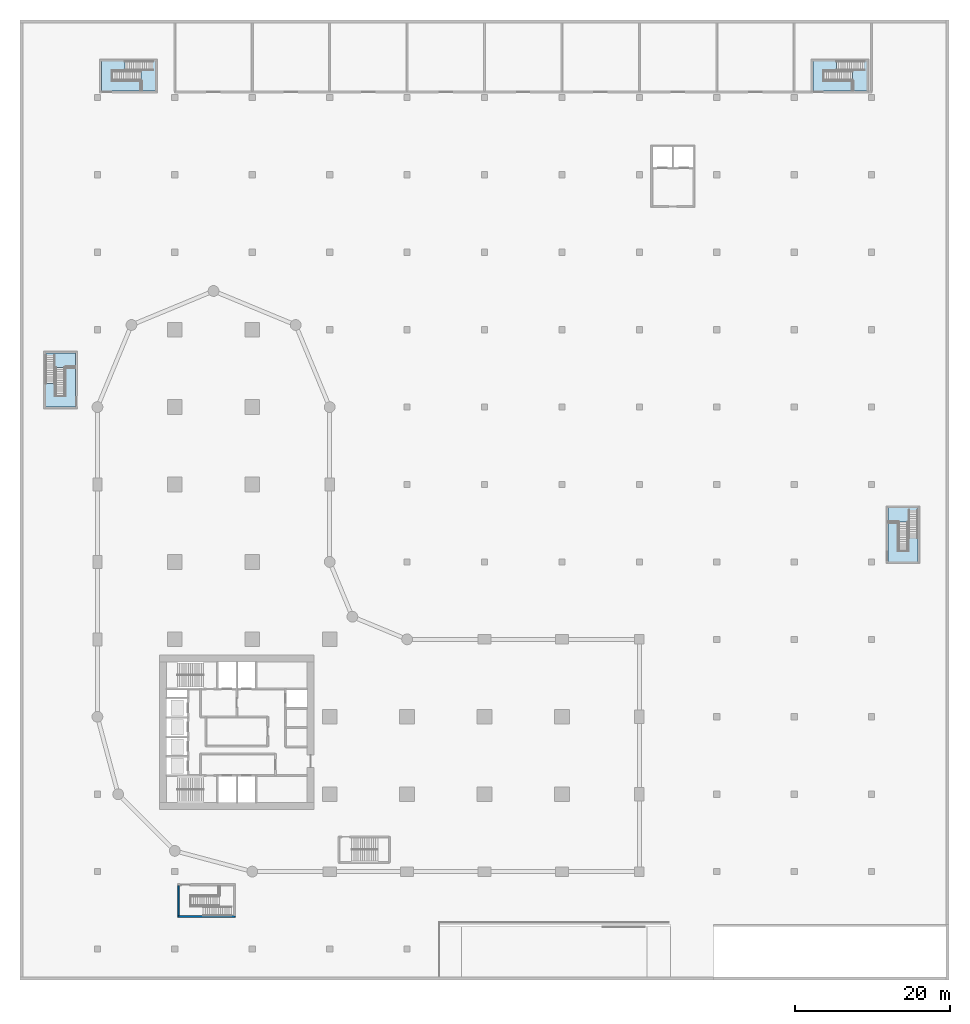
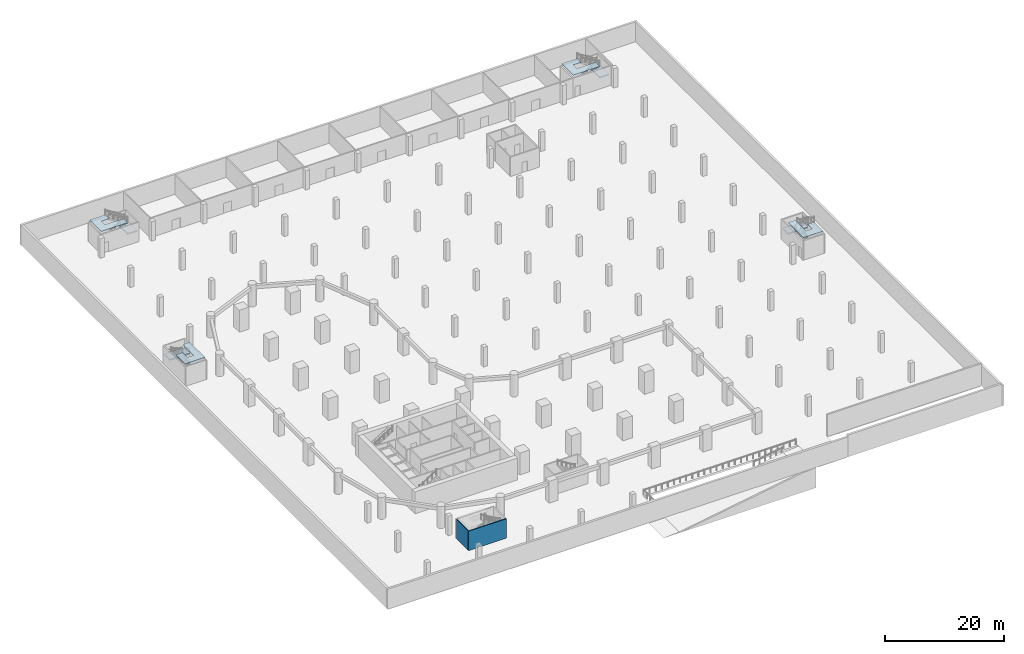
# One storey, part 2 of 19: 8 slabs, 2 walls, 4 elements without a shape of their own.
"""IFC4 building model written with IfcOpenShell, lengths in metres."""

from ifc_helpers import new_model, si_unit, direction, frame, frame_2d, origin, place, context, subcontext, project, spatial, polyline, rectangle, outline, extrude, material, layer, layer_set, type_object, element, aggregate, save


model = new_model("IFC4")

# Units and contexts
model_context = context("Model", 3, precision=1e-05, world=origin(), true_north=direction((0.0, 1.0)))
body_context = subcontext(model_context, "Body", "Model", "MODEL_VIEW")
ifc_project = project(units=[si_unit("LENGTHUNIT", "METRE"), si_unit("AREAUNIT", "SQUARE_METRE"), si_unit("VOLUMEUNIT", "CUBIC_METRE"), si_unit("PLANEANGLEUNIT", "RADIAN"), si_unit("MASSUNIT", "GRAM", prefix="KILO")], contexts=[model_context])

# Site, building, storey
site_placement = place(None, origin())
site = spatial("IfcSite", under=ifc_project, at=site_placement, CompositionType="ELEMENT")
building_placement = place(site_placement, origin())
building = spatial("IfcBuilding", under=site, at=building_placement, Name="Qaws Garden Tower", CompositionType="ELEMENT")
storey_placement = place(building_placement, frame((0.0, 0.0, -4.5)))
storey = spatial("IfcBuildingStorey", under=building, at=storey_placement, Name="B1", CompositionType="ELEMENT", Elevation=-4.5)

# Stair, slab
ifc_material_1 = material(Name="Concrete C40", Category="concrete")
stair_type = type_object("IfcStairType", Name="Basement exit stair 1200", PredefinedType="HALF_TURN_STAIR", material=ifc_material_1)
placement_1 = place(storey_placement, origin())
stair_1 = element("IfcStair", 1, at=placement_1, inside=storey, type_object=stair_type, Name="Exit stair N1 B1 to L00", PredefinedType="HALF_TURN_STAIR")
ifc_material_2 = material(Name="Concrete C40", Category="concrete")
ifc_layer_1 = layer(ifc_material_2, 0.10009765625)
ifc_layer_set_1 = layer_set([ifc_layer_1], Name="Concrete C40")
slab_type_1 = type_object("IfcSlabType", Name="Stair foot slab 100", PredefinedType="LANDING", material=ifc_layer_set_1)
placement_2 = place(building_placement, origin())
placement_3 = place(placement_2, frame((0.0, 0.0, -0.10009765625)))
slab_1 = element("IfcSlab", 2, at=placement_3, type_object=slab_type_1, Name="Exit stair N1 top landing", PredefinedType="LANDING", context=body_context, shape_type="SweptSolid", body=[
    extrude(outline(polyline([(0.5, 100.800048828125), (5.639892578125, 100.800048828125), (5.639892578125, 102.199951171875), (2.0, 102.199951171875), (2.0, 103.39990234375), (3.56005859375, 103.39990234375), (3.56005859375, 104.699951171875), (0.5, 104.699951171875), (0.5, 100.800048828125)])), origin(), (0.0, 0.0, 1.0), 0.10009765625),
])

stair_2 = element("IfcStair", 3, at=placement_1, inside=storey, type_object=stair_type, Name="Exit stair N2 B1 to L00", PredefinedType="HALF_TURN_STAIR")
slab_2 = element("IfcSlab", 4, at=placement_3, type_object=slab_type_1, Name="Exit stair N2 top landing", PredefinedType="LANDING", context=body_context, shape_type="SweptSolid", body=[
    extrude(outline(polyline([(92.39990234375, 100.800048828125), (97.5400390625, 100.800048828125), (97.5400390625, 102.199951171875), (93.89990234375, 102.199951171875), (93.89990234375, 103.39990234375), (95.4599609375, 103.39990234375), (95.4599609375, 104.699951171875), (92.39990234375, 104.699951171875), (92.39990234375, 100.800048828125)])), origin(), (0.0, 0.0, 1.0), 0.10009765625),
])

stair_3 = element("IfcStair", 5, at=placement_1, inside=storey, type_object=stair_type, Name="Exit stair E1 B1 to L00", PredefinedType="HALF_TURN_STAIR")
slab_3 = element("IfcSlab", 6, at=placement_3, type_object=slab_type_1, Name="Exit stair E1 top landing", PredefinedType="LANDING", context=body_context, shape_type="SweptSolid", body=[
    extrude(outline(polyline([(102.10009765625, 40.0), (106.0, 40.0), (106.0, 43.06005859375), (104.699951171875, 43.06005859375), (104.699951171875, 41.5), (103.5, 41.5), (103.5, 45.139892578125), (102.10009765625, 45.139892578125), (102.10009765625, 40.0)])), origin(), (0.0, 0.0, 1.0), 0.10009765625),
])

stair_4 = element("IfcStair", 7, at=placement_1, inside=storey, type_object=stair_type, Name="Exit stair W1 B1 to L00", PredefinedType="HALF_TURN_STAIR")
slab_4 = element("IfcSlab", 8, at=placement_3, type_object=slab_type_1, Name="Exit stair W1 top landing", PredefinedType="LANDING", context=body_context, shape_type="SweptSolid", body=[
    extrude(outline(polyline([(-6.699951171875, 60.0), (-2.800048828125, 60.0), (-2.800048828125, 65.139892578125), (-4.199951171875, 65.139892578125), (-4.199951171875, 61.5), (-5.39990234375, 61.5), (-5.39990234375, 63.06005859375), (-6.699951171875, 63.06005859375), (-6.699951171875, 60.0)])), origin(), (0.0, 0.0, 1.0), 0.10009765625),
])

# Slab
ifc_material_3 = material(Name="Concrete C40", Category="concrete")
ifc_layer_2 = layer(ifc_material_3, 0.25)
ifc_layer_set_2 = layer_set([ifc_layer_2], Name="Concrete C40")
slab_type_2 = type_object("IfcSlabType", Name="Stair landing 250", PredefinedType="LANDING", material=ifc_layer_set_2)
placement_4 = place(storey_placement, frame((0.0, 0.0, 2.0)))
slab_5 = element("IfcSlab", 9, at=placement_4, type_object=slab_type_2, Name="PST2 landing 1", PredefinedType="LANDING", context=body_context, shape_type="SweptSolid", body=[
    extrude(outline(polyline([(5.639892578125, 100.800048828125), (7.5, 100.800048828125), (7.5, 104.699951171875), (5.639892578125, 104.699951171875), (5.639892578125, 100.800048828125)])), origin(), (0.0, 0.0, 1.0), 0.25),
])

aggregate(stair_1, [slab_5, slab_1])

slab_6 = element("IfcSlab", 10, at=placement_4, type_object=slab_type_2, Name="PST2 landing 1", PredefinedType="LANDING", context=body_context, shape_type="SweptSolid", body=[
    extrude(outline(polyline([(97.5400390625, 100.800048828125), (99.39990234375, 100.800048828125), (99.39990234375, 104.699951171875), (97.5400390625, 104.699951171875), (97.5400390625, 100.800048828125)])), origin(), (0.0, 0.0, 1.0), 0.25),
])

aggregate(stair_2, [slab_6, slab_2])

slab_7 = element("IfcSlab", 11, at=placement_4, type_object=slab_type_2, Name="PST2 landing 1", PredefinedType="LANDING", context=body_context, shape_type="SweptSolid", body=[
    extrude(outline(polyline([(102.10009765625, 45.139892578125), (102.10009765625, 47.0), (106.0, 47.0), (106.0, 45.139892578125), (102.10009765625, 45.139892578125)])), origin(), (0.0, 0.0, 1.0), 0.25),
])

aggregate(stair_3, [slab_7, slab_3])

slab_8 = element("IfcSlab", 12, at=placement_4, type_object=slab_type_2, Name="PST2 landing 1", PredefinedType="LANDING", context=body_context, shape_type="SweptSolid", body=[
    extrude(outline(polyline([(-2.800048828125, 65.139892578125), (-2.800048828125, 67.0), (-6.699951171875, 67.0), (-6.699951171875, 65.139892578125), (-2.800048828125, 65.139892578125)])), origin(), (0.0, 0.0, 1.0), 0.25),
])

aggregate(stair_4, [slab_8, slab_4])

# Walls
ifc_material_4 = material(Name="Concrete C40", Category="concrete")
ifc_layer_3 = layer(ifc_material_4, 0.199951171875)
ifc_layer_set_3 = layer_set([ifc_layer_3], Name="Concrete C40")
wall_type = type_object("IfcWallType", Name="Stair enclosure wall 200", PredefinedType="SOLIDWALL", material=ifc_layer_set_3)
wall_1_placement = place(storey_placement, frame((10.39990234375, -5.800048828125, 0.0), z_axis=(0.0, 0.0, 1.0), x_axis=(1.0, 0.0, 0.0)))
element("IfcWall", 13, at=wall_1_placement, inside=storey, type_object=wall_type, Name="Stair S1 enclosure wall", PredefinedType="SOLIDWALL", context=body_context, shape_type="SweptSolid", body=[
    extrude(rectangle(XDim=7.400146484375, YDim=0.199951171875, at=frame_2d((3.7001953125, 0.0))), origin(), (0.0, 0.0, 1.0), 4.0),
])
wall_2_placement = place(storey_placement, frame((10.5, -1.800048828125, 0.0), z_axis=(0.0, 0.0, 1.0), x_axis=(0.0, -1.0, 0.0)))
element("IfcWall", 14, at=wall_2_placement, inside=storey, type_object=wall_type, Name="Stair S1 enclosure wall", PredefinedType="SOLIDWALL", context=body_context, shape_type="SweptSolid", body=[
    extrude(rectangle(XDim=3.89990234375, YDim=0.199951171875, at=frame_2d((1.949951171875, 0.0))), origin(), (0.0, 0.0, 1.0), 4.0),
])

save(model, "model.ifc")
